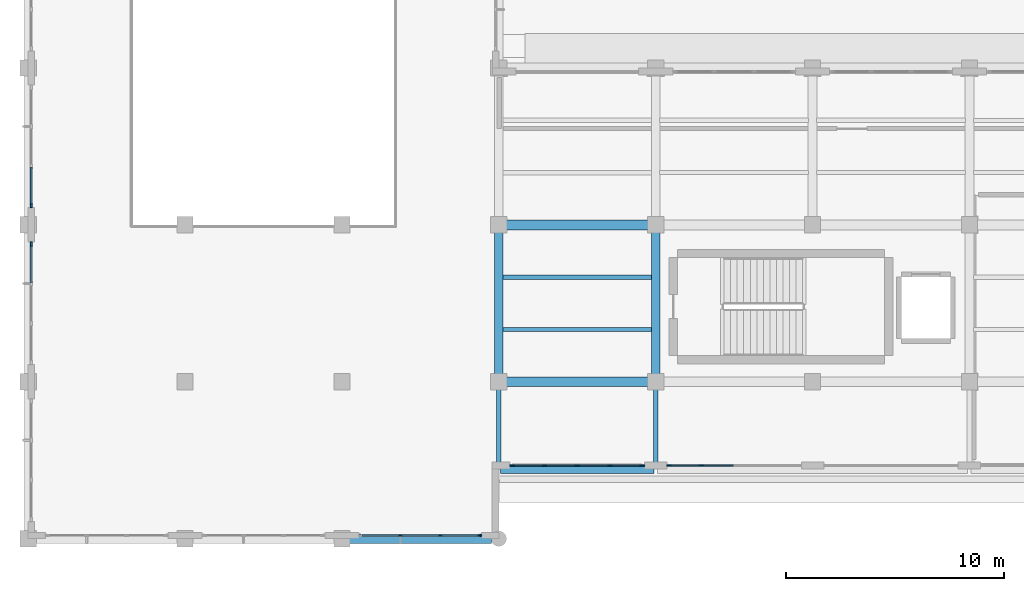
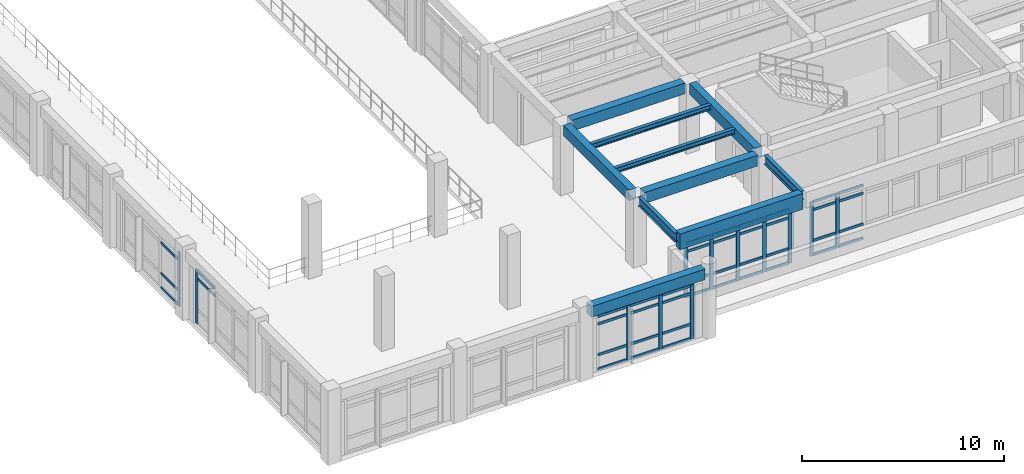
# One storey, part 3 of 64: 53 members, 10 beams, 5 elements without a shape of their own.
"""IFC4 building model written with IfcOpenShell, lengths in metres."""

from ifc_helpers import new_model, si_unit, direction, frame, origin, origin_2d, place, context, subcontext, project, spatial, rectangle, i_section, extrude, material, layer, layer_set, material_profile, profile_set, type_object, element, aggregate, save


model = new_model("IFC4")

# Units and contexts
model_context = context("Model", 3, precision=1e-05, world=origin(), true_north=direction((0.0, 1.0)))
body_context = subcontext(model_context, "Body", "Model", "MODEL_VIEW")
ifc_project = project(units=[si_unit("LENGTHUNIT", "METRE"), si_unit("AREAUNIT", "SQUARE_METRE"), si_unit("VOLUMEUNIT", "CUBIC_METRE"), si_unit("PLANEANGLEUNIT", "RADIAN"), si_unit("MASSUNIT", "GRAM", prefix="KILO")], contexts=[model_context])

# Site, building, storey
site_placement = place(None, origin())
site = spatial("IfcSite", under=ifc_project, at=site_placement, CompositionType="ELEMENT")
building_placement = place(site_placement, origin())
building = spatial("IfcBuilding", under=site, at=building_placement, Name="Solenvale Faculty of Natural Sciences", CompositionType="ELEMENT")
storey_placement = place(building_placement, frame((0.0, 0.0, 18.0)))
storey = spatial("IfcBuildingStorey", under=building, at=storey_placement, Name="L04", CompositionType="ELEMENT", Elevation=18.0)

# Beams
ifc_material_1 = material(Name="Concrete 40 MPa", Category="concrete")
ifc_material_profile_1 = material_profile(ifc_material_1, rectangle(XDim=0.39990234375, YDim=0.64990234375, at=origin_2d()), Name="RC-BM-400x650")
ifc_profile_set_1 = profile_set([ifc_material_profile_1], Name="Concrete 40 MPa")
beam_type_1 = type_object("IfcBeamType", Name="BM-RC-400x650", PredefinedType="BEAM", material=ifc_profile_set_1)
for number, where, z_axis, x_axis, name in (
    (1, (57.60009765625, 21.955078125, 3.89501953125), (0.0, 1.0, 0.0), (-1.0, 0.0, 0.0), "L04 Y-Girder X57.6 (21.6..28.8)"),
    (2, (64.800048828125, 21.955078125, 3.89501953125), (0.0, 1.0, 0.0), (-1.0, 0.0, 0.0), "L04 Y-Girder X64.8 (21.6..28.8)"),
):
    element("IfcBeam", number, at=place(storey_placement, frame(where, z_axis=z_axis, x_axis=x_axis)), inside=storey, type_object=beam_type_1, Name=name, PredefinedType="BEAM", context=body_context, shape_type="SweptSolid", body=[
        extrude(rectangle(XDim=0.39990234375, YDim=0.64990234375, at=origin_2d()), origin(), (0.0, 0.0, 1.0), 6.489990234375),
    ])
ifc_material_profile_2 = material_profile(ifc_material_1, rectangle(XDim=0.449951171875, YDim=0.64990234375, at=origin_2d()), Name="RC-BM-450x650")
ifc_profile_set_2 = profile_set([ifc_material_profile_2], Name="Concrete 40 MPa")
beam_type_2 = type_object("IfcBeamType", Name="BM-RC-450x650", PredefinedType="BEAM", material=ifc_profile_set_2)
beam_1_placement = place(storey_placement, frame((50.7548828125, 14.39990234375, 3.89501953125), z_axis=(1.0, 0.0, 0.0), x_axis=(0.0, 1.0, 0.0)))
element("IfcBeam", 3, at=beam_1_placement, inside=storey, type_object=beam_type_2, Name="L04 X-Girder Y14.4 (50.4..57.6)", PredefinedType="BEAM", context=body_context, shape_type="SweptSolid", body=[
    extrude(rectangle(XDim=0.449951171875, YDim=0.64990234375, at=origin_2d()), origin(), (0.0, 0.0, 1.0), 6.51513671875),
])
for number, where, z_axis, x_axis, name in (
    (4, (57.955078125, 21.60009765625, 3.89501953125), (1.0, 0.0, 0.0), (0.0, 1.0, 0.0), "L04 X-Girder Y21.6 (57.6..64.8)"),
    (5, (57.955078125, 28.800048828125, 3.89501953125), (1.0, 0.0, 0.0), (0.0, 1.0, 0.0), "L04 X-Girder Y28.8 (57.6..64.8)"),
):
    element("IfcBeam", number, at=place(storey_placement, frame(where, z_axis=z_axis, x_axis=x_axis)), inside=storey, type_object=beam_type_2, Name=name, PredefinedType="BEAM", context=body_context, shape_type="SweptSolid", body=[
        extrude(rectangle(XDim=0.449951171875, YDim=0.64990234375, at=origin_2d()), origin(), (0.0, 0.0, 1.0), 6.489990234375),
    ])
ifc_material_2 = material(Name="Architectural bronze concrete 40 MPa", Category="concrete")
ifc_material_profile_3 = material_profile(ifc_material_2, rectangle(XDim=0.39990234375, YDim=0.949951171875, at=origin_2d()), Name="RC-SPN-400x950")
ifc_profile_set_3 = profile_set([ifc_material_profile_3], Name="Architectural bronze concrete 40 MPa")
beam_type_3 = type_object("IfcBeamType", Name="BM-SPN-BRZ-950", PredefinedType="SPANDREL", material=ifc_profile_set_3)
beam_2_placement = place(storey_placement, frame((57.679931640625, 17.60009765625, 3.7451171875), z_axis=(1.0, 0.0, 0.0), x_axis=(0.0, 1.0, 0.0)))
element("IfcBeam", 6, at=beam_2_placement, inside=storey, type_object=beam_type_3, Name="L05 Sliding-Tray South Bronze Fascia 1", PredefinedType="SPANDREL", context=body_context, shape_type="SweptSolid", body=[
    extrude(rectangle(XDim=0.39990234375, YDim=0.949951171875, at=origin_2d()), origin(), (0.0, 0.0, 1.0), 7.0400390625),
])
ifc_material_3 = material(Name="Steel S355", Category="steel")
ifc_material_profile_4 = material_profile(ifc_material_3, i_section(OverallWidth=0.202880859375, OverallDepth=0.302978515625, WebThickness=0.007568359375, FlangeThickness=0.01318359375, FilletRadius=0.014892578125, at=origin_2d()), Name="W310x60")
ifc_profile_set_4 = profile_set([ifc_material_profile_4], Name="Steel S355")
beam_type_4 = type_object("IfcBeamType", Name="BM-STL-W310x60", PredefinedType="JOIST", material=ifc_profile_set_4)
for number, where, z_axis, x_axis, name in (
    (7, (57.780029296875, 24.0, 4.068603515625), (1.0, 0.0, 0.0), (0.0, 1.0, 0.0), "L04 Composite Floor Joist (9,4).1"),
    (8, (57.780029296875, 26.39990234375, 4.068603515625), (1.0, 0.0, 0.0), (0.0, 1.0, 0.0), "L04 Composite Floor Joist (9,4).2"),
):
    element("IfcBeam", number, at=place(storey_placement, frame(where, z_axis=z_axis, x_axis=x_axis)), inside=storey, type_object=beam_type_4, Name=name, PredefinedType="JOIST", context=body_context, shape_type="SweptSolid", body=[
        extrude(i_section(OverallWidth=0.202880859375, OverallDepth=0.302978515625, WebThickness=0.007568359375, FlangeThickness=0.01318359375, FilletRadius=0.014892578125, at=origin_2d()), origin(), (0.0, 0.0, 1.0), 6.840087890625),
    ])
ifc_material_profile_5 = material_profile(ifc_material_3, i_section(OverallWidth=0.2119140625, OverallDepth=0.5439453125, WebThickness=0.01318359375, FlangeThickness=0.021240234375, FilletRadius=0.01904296875, at=origin_2d()), Name="W530x123")
ifc_profile_set_5 = profile_set([ifc_material_profile_5], Name="Steel S355")
beam_type_5 = type_object("IfcBeamType", Name="BM-STL-W530x123", PredefinedType="BEAM", material=ifc_profile_set_5)
for number, where, z_axis, x_axis, name in (
    (9, (64.800048828125, 21.2451171875, 3.947998046875), (0.0, -1.0, 0.0), (1.0, 0.0, 0.0), "L04 V4 Cantilever Tray Girder X64.8"),
    (10, (57.60009765625, 21.2451171875, 3.947998046875), (0.0, -1.0, 0.0), (1.0, 0.0, 0.0), "L04 V4 Cantilever Tray Girder X57.6"),
):
    element("IfcBeam", number, at=place(storey_placement, frame(where, z_axis=z_axis, x_axis=x_axis)), inside=storey, type_object=beam_type_5, Name=name, PredefinedType="BEAM", context=body_context, shape_type="SweptSolid", body=[
        extrude(i_section(OverallWidth=0.2119140625, OverallDepth=0.5439453125, WebThickness=0.01318359375, FlangeThickness=0.021240234375, FilletRadius=0.01904296875, at=origin_2d()), origin(), (0.0, 0.0, 1.0), 3.64501953125),
    ])

# Curtain wall, member
ifc_material_4 = material(Name="Anodised bronze aluminium", Category="aluminium")
ifc_layer_1 = layer(ifc_material_4, 0.215087890625)
ifc_layer_set_1 = layer_set([ifc_layer_1], Name="Anodised bronze aluminium")
curtain_wall_type_1 = type_object("IfcCurtainWallType", Name="CW-ATR-UNIT", PredefinedType="USERDEFINED", material=ifc_layer_set_1)
curtain_wall_1_placement = place(storey_placement, origin())
curtain_wall_1 = element("IfcCurtainWall", 11, at=curtain_wall_1_placement, inside=storey, type_object=curtain_wall_type_1, Name="L04 Curtain Wall CW-L04-P1-E3-B9", ObjectType="UNITISED CURTAIN WALL", PredefinedType="USERDEFINED")
ifc_material_profile_6 = material_profile(ifc_material_4, rectangle(XDim=0.074951171875, YDim=0.2099609375, at=origin_2d()), Name="ALU-MUL-75x210")
ifc_profile_set_6 = profile_set([ifc_material_profile_6], Name="Anodised bronze aluminium")
member_type_1 = type_object("IfcMemberType", Name="CWM-ALU-75x210", PredefinedType="MULLION", material=ifc_profile_set_6)
member_1_placement = place(storey_placement, frame((36.142578125, 29.6875, 0.0), z_axis=(0.0, 0.0, 1.0), x_axis=(1.0, 0.0, 0.0)))
member_1 = element("IfcMember", 12, at=member_1_placement, type_object=member_type_1, Name="CW-01 mullion 4", PredefinedType="MULLION", context=body_context, shape_type="SweptSolid", body=[
    extrude(rectangle(XDim=0.074951171875, YDim=0.2099609375, at=origin_2d()), origin(), (0.0, 0.0, 1.0), 3.260009765625),
])

curtain_wall_2_placement = place(storey_placement, origin())
curtain_wall_2 = element("IfcCurtainWall", 13, at=curtain_wall_2_placement, inside=storey, type_object=curtain_wall_type_1, Name="L04 Curtain Wall CW-L04-P1-E3-B10", ObjectType="UNITISED CURTAIN WALL", PredefinedType="USERDEFINED")
member_2_placement = place(storey_placement, frame((36.142578125, 27.91259765625, 0.0), z_axis=(0.0, 0.0, 1.0), x_axis=(1.0, 0.0, 0.0)))
member_2 = element("IfcMember", 14, at=member_2_placement, type_object=member_type_1, Name="CW-01 mullion 1", PredefinedType="MULLION", context=body_context, shape_type="SweptSolid", body=[
    extrude(rectangle(XDim=0.074951171875, YDim=0.2099609375, at=origin_2d()), origin(), (0.0, 0.0, 1.0), 3.260009765625),
])

# Curtain wall, members
curtain_wall_3_placement = place(storey_placement, origin())
curtain_wall_3 = element("IfcCurtainWall", 15, at=curtain_wall_3_placement, inside=storey, type_object=curtain_wall_type_1, Name="L04 Curtain Wall CW-L04-P1-E4-B3", ObjectType="UNITISED CURTAIN WALL", PredefinedType="USERDEFINED")
member_3_placement = place(storey_placement, frame((53.083251953125, 14.54248046875, 0.0), z_axis=(0.0, 0.0, 1.0), x_axis=(0.0, 1.0, 0.0)))
member_3 = element("IfcMember", 16, at=member_3_placement, type_object=member_type_1, Name="CW-01 mullion 2", PredefinedType="MULLION", context=body_context, shape_type="SweptSolid", body=[
    extrude(rectangle(XDim=0.074951171875, YDim=0.2099609375, at=origin_2d()), origin(), (0.0, 0.0, 1.0), 3.260009765625),
])
member_4_placement = place(storey_placement, frame((54.916748046875, 14.54248046875, 0.0), z_axis=(0.0, 0.0, 1.0), x_axis=(0.0, 1.0, 0.0)))
member_4 = element("IfcMember", 17, at=member_4_placement, type_object=member_type_1, Name="CW-01 mullion 3", PredefinedType="MULLION", context=body_context, shape_type="SweptSolid", body=[
    extrude(rectangle(XDim=0.074951171875, YDim=0.2099609375, at=origin_2d()), origin(), (0.0, 0.0, 1.0), 3.260009765625),
])
member_5_placement = place(storey_placement, frame((56.71240234375, 14.54248046875, 0.0), z_axis=(0.0, 0.0, 1.0), x_axis=(0.0, 1.0, 0.0)))
member_5 = element("IfcMember", 18, at=member_5_placement, type_object=member_type_1, Name="CW-01 mullion 4", PredefinedType="MULLION", context=body_context, shape_type="SweptSolid", body=[
    extrude(rectangle(XDim=0.074951171875, YDim=0.2099609375, at=origin_2d()), origin(), (0.0, 0.0, 1.0), 3.260009765625),
])

ifc_layer_2 = layer(ifc_material_4, 0.18994140625)
ifc_layer_set_2 = layer_set([ifc_layer_2], Name="Anodised bronze aluminium")
curtain_wall_type_2 = type_object("IfcCurtainWallType", Name="CW-TRAY-REC", PredefinedType="USERDEFINED", material=ifc_layer_set_2)
curtain_wall_4_placement = place(storey_placement, origin())
curtain_wall_4 = element("IfcCurtainWall", 19, at=curtain_wall_4_placement, inside=storey, type_object=curtain_wall_type_2, Name="L04 Curtain Wall CW-L04-P1-E6-B1", ObjectType="UNITISED CURTAIN WALL", PredefinedType="USERDEFINED")
member_6_placement = place(storey_placement, frame((58.217529296875, 17.762451171875, 0.0), z_axis=(0.0, 0.0, 1.0), x_axis=(0.0, 1.0, 0.0)))
member_6 = element("IfcMember", 20, at=member_6_placement, type_object=member_type_1, Name="CW-02 mullion 1", PredefinedType="MULLION", context=body_context, shape_type="SweptSolid", body=[
    extrude(rectangle(XDim=0.074951171875, YDim=0.2099609375, at=origin_2d()), origin(), (0.0, 0.0, 1.0), 3.260009765625),
])
member_7_placement = place(storey_placement, frame((59.68994140625, 17.762451171875, 0.0), z_axis=(0.0, 0.0, 1.0), x_axis=(0.0, 1.0, 0.0)))
member_7 = element("IfcMember", 21, at=member_7_placement, type_object=member_type_1, Name="CW-02 mullion 2", PredefinedType="MULLION", context=body_context, shape_type="SweptSolid", body=[
    extrude(rectangle(XDim=0.074951171875, YDim=0.2099609375, at=origin_2d()), origin(), (0.0, 0.0, 1.0), 3.260009765625),
])
member_8_placement = place(storey_placement, frame((61.199951171875, 17.762451171875, 0.0), z_axis=(0.0, 0.0, 1.0), x_axis=(0.0, 1.0, 0.0)))
member_8 = element("IfcMember", 22, at=member_8_placement, type_object=member_type_1, Name="CW-02 mullion 3", PredefinedType="MULLION", context=body_context, shape_type="SweptSolid", body=[
    extrude(rectangle(XDim=0.074951171875, YDim=0.2099609375, at=origin_2d()), origin(), (0.0, 0.0, 1.0), 3.260009765625),
])
member_9_placement = place(storey_placement, frame((62.7099609375, 17.762451171875, 0.0), z_axis=(0.0, 0.0, 1.0), x_axis=(0.0, 1.0, 0.0)))
member_9 = element("IfcMember", 23, at=member_9_placement, type_object=member_type_1, Name="CW-02 mullion 4", PredefinedType="MULLION", context=body_context, shape_type="SweptSolid", body=[
    extrude(rectangle(XDim=0.074951171875, YDim=0.2099609375, at=origin_2d()), origin(), (0.0, 0.0, 1.0), 3.260009765625),
])
member_10_placement = place(storey_placement, frame((64.1826171875, 17.762451171875, 0.0), z_axis=(0.0, 0.0, 1.0), x_axis=(0.0, 1.0, 0.0)))
member_10 = element("IfcMember", 24, at=member_10_placement, type_object=member_type_1, Name="CW-02 mullion 5", PredefinedType="MULLION", context=body_context, shape_type="SweptSolid", body=[
    extrude(rectangle(XDim=0.074951171875, YDim=0.2099609375, at=origin_2d()), origin(), (0.0, 0.0, 1.0), 3.260009765625),
])

curtain_wall_5_placement = place(storey_placement, origin())
curtain_wall_5 = element("IfcCurtainWall", 25, at=curtain_wall_5_placement, inside=storey, type_object=curtain_wall_type_2, Name="L04 Curtain Wall CW-L04-P1-E6-B2", ObjectType="UNITISED CURTAIN WALL", PredefinedType="USERDEFINED")
member_11_placement = place(storey_placement, frame((65.41748046875, 17.762451171875, 0.0), z_axis=(0.0, 0.0, 1.0), x_axis=(0.0, 1.0, 0.0)))
member_11 = element("IfcMember", 26, at=member_11_placement, type_object=member_type_1, Name="CW-02 mullion 1", PredefinedType="MULLION", context=body_context, shape_type="SweptSolid", body=[
    extrude(rectangle(XDim=0.074951171875, YDim=0.2099609375, at=origin_2d()), origin(), (0.0, 0.0, 1.0), 3.260009765625),
])
member_12_placement = place(storey_placement, frame((66.889892578125, 17.762451171875, 0.0), z_axis=(0.0, 0.0, 1.0), x_axis=(0.0, 1.0, 0.0)))
member_12 = element("IfcMember", 27, at=member_12_placement, type_object=member_type_1, Name="CW-02 mullion 2", PredefinedType="MULLION", context=body_context, shape_type="SweptSolid", body=[
    extrude(rectangle(XDim=0.074951171875, YDim=0.2099609375, at=origin_2d()), origin(), (0.0, 0.0, 1.0), 3.260009765625),
])

# Member
ifc_material_profile_7 = material_profile(ifc_material_4, rectangle(XDim=0.074951171875, YDim=0.155029296875, at=origin_2d()), Name="ALU-TRN-75x155")
ifc_profile_set_7 = profile_set([ifc_material_profile_7], Name="Anodised bronze aluminium")
member_type_2 = type_object("IfcMemberType", Name="CWT-ALU-75x155", PredefinedType="USERDEFINED", material=ifc_profile_set_7)
member_13_placement = place(storey_placement, frame((36.142578125, 31.44580078125, 0.03759765625), z_axis=(0.0, -1.0, 0.0), x_axis=(1.0, 0.0, 0.0)))
member_13 = element("IfcMember", 28, at=member_13_placement, type_object=member_type_2, Name="CW-01 transom 3.1", ObjectType="TRANSOM", PredefinedType="USERDEFINED", context=body_context, shape_type="SweptSolid", body=[
    extrude(rectangle(XDim=0.074951171875, YDim=0.155029296875, at=origin_2d()), origin(), (0.0, 0.0, 1.0), 1.720703125),
])

member_14_placement = place(storey_placement, frame((36.142578125, 31.44580078125, 0.89990234375), z_axis=(0.0, -1.0, 0.0), x_axis=(1.0, 0.0, 0.0)))
member_14 = element("IfcMember", 29, at=member_14_placement, type_object=member_type_2, Name="CW-01 transom 3.2", ObjectType="TRANSOM", PredefinedType="USERDEFINED", context=body_context, shape_type="SweptSolid", body=[
    extrude(rectangle(XDim=0.074951171875, YDim=0.155029296875, at=origin_2d()), origin(), (0.0, 0.0, 1.0), 1.720703125),
])

member_15_placement = place(storey_placement, frame((36.142578125, 31.44580078125, 2.760009765625), z_axis=(0.0, -1.0, 0.0), x_axis=(1.0, 0.0, 0.0)))
member_15 = element("IfcMember", 30, at=member_15_placement, type_object=member_type_2, Name="CW-01 transom 3.3", ObjectType="TRANSOM", PredefinedType="USERDEFINED", context=body_context, shape_type="SweptSolid", body=[
    extrude(rectangle(XDim=0.074951171875, YDim=0.155029296875, at=origin_2d()), origin(), (0.0, 0.0, 1.0), 1.720703125),
])

aggregate(curtain_wall_1, [member_1, member_13, member_14, member_15])

member_16_placement = place(storey_placement, frame((36.142578125, 27.875, 2.760009765625), z_axis=(0.0, -1.0, 0.0), x_axis=(1.0, 0.0, 0.0)))
member_16 = element("IfcMember", 31, at=member_16_placement, type_object=member_type_2, Name="CW-01 transom 1.3", ObjectType="TRANSOM", PredefinedType="USERDEFINED", context=body_context, shape_type="SweptSolid", body=[
    extrude(rectangle(XDim=0.074951171875, YDim=0.155029296875, at=origin_2d()), origin(), (0.0, 0.0, 1.0), 1.720947265625),
])

member_17_placement = place(storey_placement, frame((36.142578125, 27.875, 3.222412109375), z_axis=(0.0, -1.0, 0.0), x_axis=(1.0, 0.0, 0.0)))
member_17 = element("IfcMember", 32, at=member_17_placement, type_object=member_type_2, Name="CW-01 transom 1.4", ObjectType="TRANSOM", PredefinedType="USERDEFINED", context=body_context, shape_type="SweptSolid", body=[
    extrude(rectangle(XDim=0.074951171875, YDim=0.155029296875, at=origin_2d()), origin(), (0.0, 0.0, 1.0), 1.720947265625),
])

aggregate(curtain_wall_2, [member_2, member_16, member_17])

member_18_placement = place(storey_placement, frame((51.324951171875, 14.54248046875, 0.03759765625), z_axis=(1.0, 0.0, 0.0), x_axis=(0.0, 1.0, 0.0)))
member_18 = element("IfcMember", 33, at=member_18_placement, type_object=member_type_2, Name="CW-01 transom 1.1", ObjectType="TRANSOM", PredefinedType="USERDEFINED", context=body_context, shape_type="SweptSolid", body=[
    extrude(rectangle(XDim=0.074951171875, YDim=0.155029296875, at=origin_2d()), origin(), (0.0, 0.0, 1.0), 1.720947265625),
])

member_19_placement = place(storey_placement, frame((51.324951171875, 14.54248046875, 0.89990234375), z_axis=(1.0, 0.0, 0.0), x_axis=(0.0, 1.0, 0.0)))
member_19 = element("IfcMember", 34, at=member_19_placement, type_object=member_type_2, Name="CW-01 transom 1.2", ObjectType="TRANSOM", PredefinedType="USERDEFINED", context=body_context, shape_type="SweptSolid", body=[
    extrude(rectangle(XDim=0.074951171875, YDim=0.155029296875, at=origin_2d()), origin(), (0.0, 0.0, 1.0), 1.720947265625),
])

member_20_placement = place(storey_placement, frame((51.324951171875, 14.54248046875, 2.760009765625), z_axis=(1.0, 0.0, 0.0), x_axis=(0.0, 1.0, 0.0)))
member_20 = element("IfcMember", 35, at=member_20_placement, type_object=member_type_2, Name="CW-01 transom 1.3", ObjectType="TRANSOM", PredefinedType="USERDEFINED", context=body_context, shape_type="SweptSolid", body=[
    extrude(rectangle(XDim=0.074951171875, YDim=0.155029296875, at=origin_2d()), origin(), (0.0, 0.0, 1.0), 1.720947265625),
])

member_21_placement = place(storey_placement, frame((51.324951171875, 14.54248046875, 3.222412109375), z_axis=(1.0, 0.0, 0.0), x_axis=(0.0, 1.0, 0.0)))
member_21 = element("IfcMember", 36, at=member_21_placement, type_object=member_type_2, Name="CW-01 transom 1.4", ObjectType="TRANSOM", PredefinedType="USERDEFINED", context=body_context, shape_type="SweptSolid", body=[
    extrude(rectangle(XDim=0.074951171875, YDim=0.155029296875, at=origin_2d()), origin(), (0.0, 0.0, 1.0), 1.720947265625),
])

member_22_placement = place(storey_placement, frame((53.120849609375, 14.54248046875, 0.03759765625), z_axis=(1.0, 0.0, 0.0), x_axis=(0.0, 1.0, 0.0)))
member_22 = element("IfcMember", 37, at=member_22_placement, type_object=member_type_2, Name="CW-01 transom 2.1", ObjectType="TRANSOM", PredefinedType="USERDEFINED", context=body_context, shape_type="SweptSolid", body=[
    extrude(rectangle(XDim=0.074951171875, YDim=0.155029296875, at=origin_2d()), origin(), (0.0, 0.0, 1.0), 1.75830078125),
])

member_23_placement = place(storey_placement, frame((53.120849609375, 14.54248046875, 0.89990234375), z_axis=(1.0, 0.0, 0.0), x_axis=(0.0, 1.0, 0.0)))
member_23 = element("IfcMember", 38, at=member_23_placement, type_object=member_type_2, Name="CW-01 transom 2.2", ObjectType="TRANSOM", PredefinedType="USERDEFINED", context=body_context, shape_type="SweptSolid", body=[
    extrude(rectangle(XDim=0.074951171875, YDim=0.155029296875, at=origin_2d()), origin(), (0.0, 0.0, 1.0), 1.75830078125),
])

member_24_placement = place(storey_placement, frame((53.120849609375, 14.54248046875, 2.760009765625), z_axis=(1.0, 0.0, 0.0), x_axis=(0.0, 1.0, 0.0)))
member_24 = element("IfcMember", 39, at=member_24_placement, type_object=member_type_2, Name="CW-01 transom 2.3", ObjectType="TRANSOM", PredefinedType="USERDEFINED", context=body_context, shape_type="SweptSolid", body=[
    extrude(rectangle(XDim=0.074951171875, YDim=0.155029296875, at=origin_2d()), origin(), (0.0, 0.0, 1.0), 1.75830078125),
])

member_25_placement = place(storey_placement, frame((53.120849609375, 14.54248046875, 3.222412109375), z_axis=(1.0, 0.0, 0.0), x_axis=(0.0, 1.0, 0.0)))
member_25 = element("IfcMember", 40, at=member_25_placement, type_object=member_type_2, Name="CW-01 transom 2.4", ObjectType="TRANSOM", PredefinedType="USERDEFINED", context=body_context, shape_type="SweptSolid", body=[
    extrude(rectangle(XDim=0.074951171875, YDim=0.155029296875, at=origin_2d()), origin(), (0.0, 0.0, 1.0), 1.75830078125),
])

member_26_placement = place(storey_placement, frame((54.9541015625, 14.54248046875, 0.03759765625), z_axis=(1.0, 0.0, 0.0), x_axis=(0.0, 1.0, 0.0)))
member_26 = element("IfcMember", 41, at=member_26_placement, type_object=member_type_2, Name="CW-01 transom 3.1", ObjectType="TRANSOM", PredefinedType="USERDEFINED", context=body_context, shape_type="SweptSolid", body=[
    extrude(rectangle(XDim=0.074951171875, YDim=0.155029296875, at=origin_2d()), origin(), (0.0, 0.0, 1.0), 1.720947265625),
])

member_27_placement = place(storey_placement, frame((54.9541015625, 14.54248046875, 0.89990234375), z_axis=(1.0, 0.0, 0.0), x_axis=(0.0, 1.0, 0.0)))
member_27 = element("IfcMember", 42, at=member_27_placement, type_object=member_type_2, Name="CW-01 transom 3.2", ObjectType="TRANSOM", PredefinedType="USERDEFINED", context=body_context, shape_type="SweptSolid", body=[
    extrude(rectangle(XDim=0.074951171875, YDim=0.155029296875, at=origin_2d()), origin(), (0.0, 0.0, 1.0), 1.720947265625),
])

member_28_placement = place(storey_placement, frame((54.9541015625, 14.54248046875, 2.760009765625), z_axis=(1.0, 0.0, 0.0), x_axis=(0.0, 1.0, 0.0)))
member_28 = element("IfcMember", 43, at=member_28_placement, type_object=member_type_2, Name="CW-01 transom 3.3", ObjectType="TRANSOM", PredefinedType="USERDEFINED", context=body_context, shape_type="SweptSolid", body=[
    extrude(rectangle(XDim=0.074951171875, YDim=0.155029296875, at=origin_2d()), origin(), (0.0, 0.0, 1.0), 1.720947265625),
])

member_29_placement = place(storey_placement, frame((54.9541015625, 14.54248046875, 3.222412109375), z_axis=(1.0, 0.0, 0.0), x_axis=(0.0, 1.0, 0.0)))
member_29 = element("IfcMember", 44, at=member_29_placement, type_object=member_type_2, Name="CW-01 transom 3.4", ObjectType="TRANSOM", PredefinedType="USERDEFINED", context=body_context, shape_type="SweptSolid", body=[
    extrude(rectangle(XDim=0.074951171875, YDim=0.155029296875, at=origin_2d()), origin(), (0.0, 0.0, 1.0), 1.720947265625),
])

aggregate(curtain_wall_3, [member_3, member_4, member_5, member_18, member_19, member_20, member_21, member_22, member_23, member_24, member_25, member_26, member_27, member_28, member_29])

member_30_placement = place(storey_placement, frame((58.2548828125, 17.762451171875, 0.03759765625), z_axis=(1.0, 0.0, 0.0), x_axis=(0.0, 1.0, 0.0)))
member_30 = element("IfcMember", 45, at=member_30_placement, type_object=member_type_2, Name="CW-02 transom 1.1", ObjectType="TRANSOM", PredefinedType="USERDEFINED", context=body_context, shape_type="SweptSolid", body=[
    extrude(rectangle(XDim=0.074951171875, YDim=0.155029296875, at=origin_2d()), origin(), (0.0, 0.0, 1.0), 1.397705078125),
])

member_31_placement = place(storey_placement, frame((58.2548828125, 17.762451171875, 0.89990234375), z_axis=(1.0, 0.0, 0.0), x_axis=(0.0, 1.0, 0.0)))
member_31 = element("IfcMember", 46, at=member_31_placement, type_object=member_type_2, Name="CW-02 transom 1.2", ObjectType="TRANSOM", PredefinedType="USERDEFINED", context=body_context, shape_type="SweptSolid", body=[
    extrude(rectangle(XDim=0.074951171875, YDim=0.155029296875, at=origin_2d()), origin(), (0.0, 0.0, 1.0), 1.397705078125),
])

member_32_placement = place(storey_placement, frame((58.2548828125, 17.762451171875, 2.760009765625), z_axis=(1.0, 0.0, 0.0), x_axis=(0.0, 1.0, 0.0)))
member_32 = element("IfcMember", 47, at=member_32_placement, type_object=member_type_2, Name="CW-02 transom 1.3", ObjectType="TRANSOM", PredefinedType="USERDEFINED", context=body_context, shape_type="SweptSolid", body=[
    extrude(rectangle(XDim=0.074951171875, YDim=0.155029296875, at=origin_2d()), origin(), (0.0, 0.0, 1.0), 1.397705078125),
])

member_33_placement = place(storey_placement, frame((58.2548828125, 17.762451171875, 3.222412109375), z_axis=(1.0, 0.0, 0.0), x_axis=(0.0, 1.0, 0.0)))
member_33 = element("IfcMember", 48, at=member_33_placement, type_object=member_type_2, Name="CW-02 transom 1.4", ObjectType="TRANSOM", PredefinedType="USERDEFINED", context=body_context, shape_type="SweptSolid", body=[
    extrude(rectangle(XDim=0.074951171875, YDim=0.155029296875, at=origin_2d()), origin(), (0.0, 0.0, 1.0), 1.397705078125),
])

member_34_placement = place(storey_placement, frame((59.7275390625, 17.762451171875, 0.03759765625), z_axis=(1.0, 0.0, 0.0), x_axis=(0.0, 1.0, 0.0)))
member_34 = element("IfcMember", 49, at=member_34_placement, type_object=member_type_2, Name="CW-02 transom 2.1", ObjectType="TRANSOM", PredefinedType="USERDEFINED", context=body_context, shape_type="SweptSolid", body=[
    extrude(rectangle(XDim=0.074951171875, YDim=0.155029296875, at=origin_2d()), origin(), (0.0, 0.0, 1.0), 1.43505859375),
])

member_35_placement = place(storey_placement, frame((59.7275390625, 17.762451171875, 0.89990234375), z_axis=(1.0, 0.0, 0.0), x_axis=(0.0, 1.0, 0.0)))
member_35 = element("IfcMember", 50, at=member_35_placement, type_object=member_type_2, Name="CW-02 transom 2.2", ObjectType="TRANSOM", PredefinedType="USERDEFINED", context=body_context, shape_type="SweptSolid", body=[
    extrude(rectangle(XDim=0.074951171875, YDim=0.155029296875, at=origin_2d()), origin(), (0.0, 0.0, 1.0), 1.43505859375),
])

member_36_placement = place(storey_placement, frame((59.7275390625, 17.762451171875, 2.760009765625), z_axis=(1.0, 0.0, 0.0), x_axis=(0.0, 1.0, 0.0)))
member_36 = element("IfcMember", 51, at=member_36_placement, type_object=member_type_2, Name="CW-02 transom 2.3", ObjectType="TRANSOM", PredefinedType="USERDEFINED", context=body_context, shape_type="SweptSolid", body=[
    extrude(rectangle(XDim=0.074951171875, YDim=0.155029296875, at=origin_2d()), origin(), (0.0, 0.0, 1.0), 1.43505859375),
])

member_37_placement = place(storey_placement, frame((59.7275390625, 17.762451171875, 3.222412109375), z_axis=(1.0, 0.0, 0.0), x_axis=(0.0, 1.0, 0.0)))
member_37 = element("IfcMember", 52, at=member_37_placement, type_object=member_type_2, Name="CW-02 transom 2.4", ObjectType="TRANSOM", PredefinedType="USERDEFINED", context=body_context, shape_type="SweptSolid", body=[
    extrude(rectangle(XDim=0.074951171875, YDim=0.155029296875, at=origin_2d()), origin(), (0.0, 0.0, 1.0), 1.43505859375),
])

member_38_placement = place(storey_placement, frame((61.237548828125, 17.762451171875, 0.03759765625), z_axis=(1.0, 0.0, 0.0), x_axis=(0.0, 1.0, 0.0)))
member_38 = element("IfcMember", 53, at=member_38_placement, type_object=member_type_2, Name="CW-02 transom 3.1", ObjectType="TRANSOM", PredefinedType="USERDEFINED", context=body_context, shape_type="SweptSolid", body=[
    extrude(rectangle(XDim=0.074951171875, YDim=0.155029296875, at=origin_2d()), origin(), (0.0, 0.0, 1.0), 1.43505859375),
])

member_39_placement = place(storey_placement, frame((61.237548828125, 17.762451171875, 0.89990234375), z_axis=(1.0, 0.0, 0.0), x_axis=(0.0, 1.0, 0.0)))
member_39 = element("IfcMember", 54, at=member_39_placement, type_object=member_type_2, Name="CW-02 transom 3.2", ObjectType="TRANSOM", PredefinedType="USERDEFINED", context=body_context, shape_type="SweptSolid", body=[
    extrude(rectangle(XDim=0.074951171875, YDim=0.155029296875, at=origin_2d()), origin(), (0.0, 0.0, 1.0), 1.43505859375),
])

member_40_placement = place(storey_placement, frame((61.237548828125, 17.762451171875, 2.760009765625), z_axis=(1.0, 0.0, 0.0), x_axis=(0.0, 1.0, 0.0)))
member_40 = element("IfcMember", 55, at=member_40_placement, type_object=member_type_2, Name="CW-02 transom 3.3", ObjectType="TRANSOM", PredefinedType="USERDEFINED", context=body_context, shape_type="SweptSolid", body=[
    extrude(rectangle(XDim=0.074951171875, YDim=0.155029296875, at=origin_2d()), origin(), (0.0, 0.0, 1.0), 1.43505859375),
])

member_41_placement = place(storey_placement, frame((61.237548828125, 17.762451171875, 3.222412109375), z_axis=(1.0, 0.0, 0.0), x_axis=(0.0, 1.0, 0.0)))
member_41 = element("IfcMember", 56, at=member_41_placement, type_object=member_type_2, Name="CW-02 transom 3.4", ObjectType="TRANSOM", PredefinedType="USERDEFINED", context=body_context, shape_type="SweptSolid", body=[
    extrude(rectangle(XDim=0.074951171875, YDim=0.155029296875, at=origin_2d()), origin(), (0.0, 0.0, 1.0), 1.43505859375),
])

member_42_placement = place(storey_placement, frame((62.74755859375, 17.762451171875, 0.03759765625), z_axis=(1.0, 0.0, 0.0), x_axis=(0.0, 1.0, 0.0)))
member_42 = element("IfcMember", 57, at=member_42_placement, type_object=member_type_2, Name="CW-02 transom 4.1", ObjectType="TRANSOM", PredefinedType="USERDEFINED", context=body_context, shape_type="SweptSolid", body=[
    extrude(rectangle(XDim=0.074951171875, YDim=0.155029296875, at=origin_2d()), origin(), (0.0, 0.0, 1.0), 1.3974609375),
])

member_43_placement = place(storey_placement, frame((62.74755859375, 17.762451171875, 0.89990234375), z_axis=(1.0, 0.0, 0.0), x_axis=(0.0, 1.0, 0.0)))
member_43 = element("IfcMember", 58, at=member_43_placement, type_object=member_type_2, Name="CW-02 transom 4.2", ObjectType="TRANSOM", PredefinedType="USERDEFINED", context=body_context, shape_type="SweptSolid", body=[
    extrude(rectangle(XDim=0.074951171875, YDim=0.155029296875, at=origin_2d()), origin(), (0.0, 0.0, 1.0), 1.3974609375),
])

member_44_placement = place(storey_placement, frame((62.74755859375, 17.762451171875, 2.760009765625), z_axis=(1.0, 0.0, 0.0), x_axis=(0.0, 1.0, 0.0)))
member_44 = element("IfcMember", 59, at=member_44_placement, type_object=member_type_2, Name="CW-02 transom 4.3", ObjectType="TRANSOM", PredefinedType="USERDEFINED", context=body_context, shape_type="SweptSolid", body=[
    extrude(rectangle(XDim=0.074951171875, YDim=0.155029296875, at=origin_2d()), origin(), (0.0, 0.0, 1.0), 1.3974609375),
])

member_45_placement = place(storey_placement, frame((62.74755859375, 17.762451171875, 3.222412109375), z_axis=(1.0, 0.0, 0.0), x_axis=(0.0, 1.0, 0.0)))
member_45 = element("IfcMember", 60, at=member_45_placement, type_object=member_type_2, Name="CW-02 transom 4.4", ObjectType="TRANSOM", PredefinedType="USERDEFINED", context=body_context, shape_type="SweptSolid", body=[
    extrude(rectangle(XDim=0.074951171875, YDim=0.155029296875, at=origin_2d()), origin(), (0.0, 0.0, 1.0), 1.3974609375),
])

aggregate(curtain_wall_4, [member_6, member_7, member_8, member_9, member_10, member_30, member_31, member_32, member_33, member_34, member_35, member_36, member_37, member_38, member_39, member_40, member_41, member_42, member_43, member_44, member_45])

member_46_placement = place(storey_placement, frame((65.455078125, 17.762451171875, 0.03759765625), z_axis=(1.0, 0.0, 0.0), x_axis=(0.0, 1.0, 0.0)))
member_46 = element("IfcMember", 61, at=member_46_placement, type_object=member_type_2, Name="CW-02 transom 1.1", ObjectType="TRANSOM", PredefinedType="USERDEFINED", context=body_context, shape_type="SweptSolid", body=[
    extrude(rectangle(XDim=0.074951171875, YDim=0.155029296875, at=origin_2d()), origin(), (0.0, 0.0, 1.0), 1.3974609375),
])

member_47_placement = place(storey_placement, frame((65.455078125, 17.762451171875, 0.89990234375), z_axis=(1.0, 0.0, 0.0), x_axis=(0.0, 1.0, 0.0)))
member_47 = element("IfcMember", 62, at=member_47_placement, type_object=member_type_2, Name="CW-02 transom 1.2", ObjectType="TRANSOM", PredefinedType="USERDEFINED", context=body_context, shape_type="SweptSolid", body=[
    extrude(rectangle(XDim=0.074951171875, YDim=0.155029296875, at=origin_2d()), origin(), (0.0, 0.0, 1.0), 1.3974609375),
])

member_48_placement = place(storey_placement, frame((65.455078125, 17.762451171875, 2.760009765625), z_axis=(1.0, 0.0, 0.0), x_axis=(0.0, 1.0, 0.0)))
member_48 = element("IfcMember", 63, at=member_48_placement, type_object=member_type_2, Name="CW-02 transom 1.3", ObjectType="TRANSOM", PredefinedType="USERDEFINED", context=body_context, shape_type="SweptSolid", body=[
    extrude(rectangle(XDim=0.074951171875, YDim=0.155029296875, at=origin_2d()), origin(), (0.0, 0.0, 1.0), 1.3974609375),
])

member_49_placement = place(storey_placement, frame((65.455078125, 17.762451171875, 3.222412109375), z_axis=(1.0, 0.0, 0.0), x_axis=(0.0, 1.0, 0.0)))
member_49 = element("IfcMember", 64, at=member_49_placement, type_object=member_type_2, Name="CW-02 transom 1.4", ObjectType="TRANSOM", PredefinedType="USERDEFINED", context=body_context, shape_type="SweptSolid", body=[
    extrude(rectangle(XDim=0.074951171875, YDim=0.155029296875, at=origin_2d()), origin(), (0.0, 0.0, 1.0), 1.3974609375),
])

member_50_placement = place(storey_placement, frame((66.927490234375, 17.762451171875, 0.03759765625), z_axis=(1.0, 0.0, 0.0), x_axis=(0.0, 1.0, 0.0)))
member_50 = element("IfcMember", 65, at=member_50_placement, type_object=member_type_2, Name="CW-02 transom 2.1", ObjectType="TRANSOM", PredefinedType="USERDEFINED", context=body_context, shape_type="SweptSolid", body=[
    extrude(rectangle(XDim=0.074951171875, YDim=0.155029296875, at=origin_2d()), origin(), (0.0, 0.0, 1.0), 1.43505859375),
])

member_51_placement = place(storey_placement, frame((66.927490234375, 17.762451171875, 0.89990234375), z_axis=(1.0, 0.0, 0.0), x_axis=(0.0, 1.0, 0.0)))
member_51 = element("IfcMember", 66, at=member_51_placement, type_object=member_type_2, Name="CW-02 transom 2.2", ObjectType="TRANSOM", PredefinedType="USERDEFINED", context=body_context, shape_type="SweptSolid", body=[
    extrude(rectangle(XDim=0.074951171875, YDim=0.155029296875, at=origin_2d()), origin(), (0.0, 0.0, 1.0), 1.43505859375),
])

member_52_placement = place(storey_placement, frame((66.927490234375, 17.762451171875, 2.760009765625), z_axis=(1.0, 0.0, 0.0), x_axis=(0.0, 1.0, 0.0)))
member_52 = element("IfcMember", 67, at=member_52_placement, type_object=member_type_2, Name="CW-02 transom 2.3", ObjectType="TRANSOM", PredefinedType="USERDEFINED", context=body_context, shape_type="SweptSolid", body=[
    extrude(rectangle(XDim=0.074951171875, YDim=0.155029296875, at=origin_2d()), origin(), (0.0, 0.0, 1.0), 1.43505859375),
])

member_53_placement = place(storey_placement, frame((66.927490234375, 17.762451171875, 3.222412109375), z_axis=(1.0, 0.0, 0.0), x_axis=(0.0, 1.0, 0.0)))
member_53 = element("IfcMember", 68, at=member_53_placement, type_object=member_type_2, Name="CW-02 transom 2.4", ObjectType="TRANSOM", PredefinedType="USERDEFINED", context=body_context, shape_type="SweptSolid", body=[
    extrude(rectangle(XDim=0.074951171875, YDim=0.155029296875, at=origin_2d()), origin(), (0.0, 0.0, 1.0), 1.43505859375),
])

aggregate(curtain_wall_5, [member_11, member_12, member_46, member_47, member_48, member_49, member_50, member_51, member_52, member_53])

save(model, "model.ifc")
